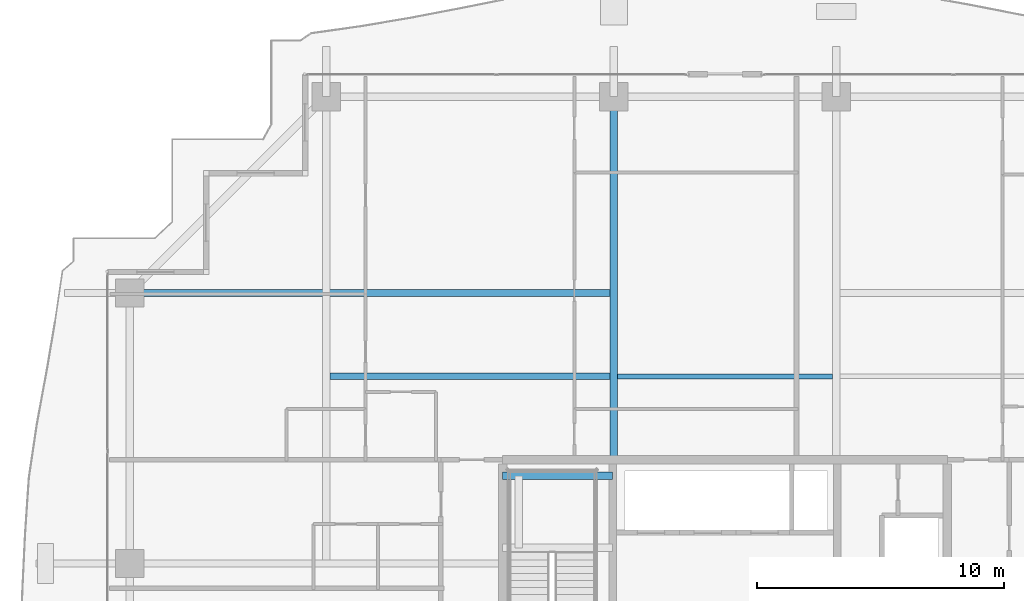
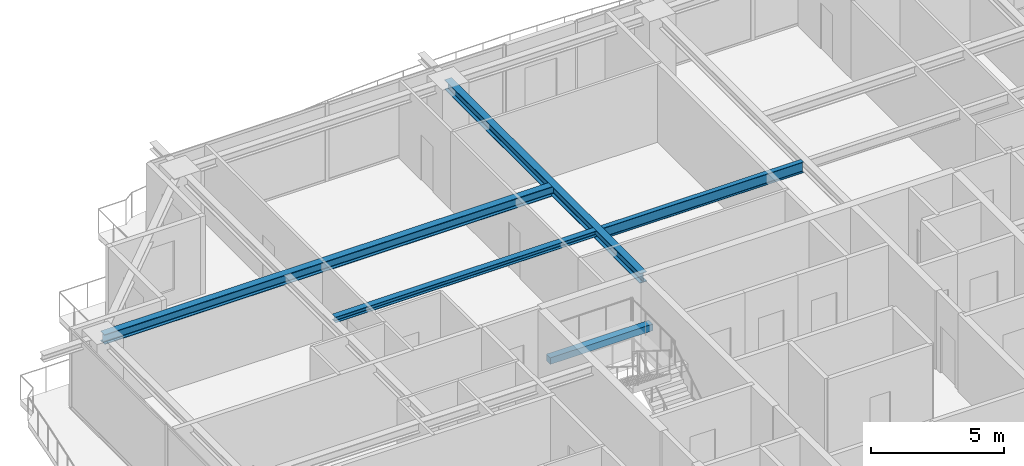
# One storey, part 20 of 38: 5 beams.
"""IFC4 building model written with IfcOpenShell, lengths in metres."""

from ifc_helpers import new_model, si_unit, direction, frame, origin, origin_2d, place, context, subcontext, project, spatial, rectangle, i_section, extrude, source, transform, mapped, material, material_profile, profile_set, type_object, element, save


model = new_model("IFC4")

# Units and contexts
model_context = context("Model", 3, precision=1e-05, world=origin(), true_north=direction((0.0, 1.0)))
body_context = subcontext(model_context, "Body", "Model", "MODEL_VIEW")
ifc_project = project(units=[si_unit("LENGTHUNIT", "METRE"), si_unit("AREAUNIT", "SQUARE_METRE"), si_unit("VOLUMEUNIT", "CUBIC_METRE"), si_unit("PLANEANGLEUNIT", "RADIAN"), si_unit("MASSUNIT", "GRAM", prefix="KILO")], contexts=[model_context])

# Site, building, storey
site_placement = place(None, origin())
site = spatial("IfcSite", under=ifc_project, at=site_placement, CompositionType="ELEMENT")
building_placement = place(site_placement, origin())
building = spatial("IfcBuilding", under=site, at=building_placement, Name="Serunith Strait Residences", CompositionType="ELEMENT")
storey_placement = place(building_placement, frame((0.0, 0.0, 237.39990234375)))
storey = spatial("IfcBuildingStorey", under=building, at=storey_placement, Name="L59", CompositionType="ELEMENT", Elevation=237.39990234375)

# Beams
ifc_material_1 = material(Name="Steel S355J2", Category="steel")
ifc_material_profile_1 = material_profile(ifc_material_1, i_section(OverallWidth=0.199951171875, OverallDepth=0.5, WebThickness=0.01025390625, FlangeThickness=0.01611328125, FilletRadius=0.02099609375, at=origin_2d()), Name="IPE 500")
ifc_profile_set_1 = profile_set([ifc_material_profile_1], Name="Steel S355J2")
beam_type_1 = type_object("IfcBeamType", Name="BM-IPE500", PredefinedType="JOIST", material=ifc_profile_set_1)
shared_shape_1 = source(origin(), body_context, "Body", "SweptSolid", [
    extrude(i_section(OverallWidth=0.199951171875, OverallDepth=0.5, WebThickness=0.01025390625, FlangeThickness=0.01611328125, FilletRadius=0.02099609375, at=origin_2d()), origin(), (0.0, 0.0, 1.0), 8.699951171875),
])
beam_1_placement = place(storey_placement, frame((28.050048828125, 36.97509765625, 3.337158203125), z_axis=(1.0, 0.0, 0.0), x_axis=(0.0, 1.0, 0.0)))
element("IfcBeam", 1, at=beam_1_placement, inside=storey, type_object=beam_type_1, Name="L59 Composite Floor Joist 05", PredefinedType="JOIST", context=body_context, shape_type="MappedRepresentation", body=[
    mapped(shared_shape_1, transform((0.0, 0.0, 0.0), scale=1.0)),
])
ifc_material_profile_2 = material_profile(ifc_material_1, i_section(OverallWidth=0.300048828125, OverallDepth=0.449951171875, WebThickness=0.013916015625, FlangeThickness=0.02587890625, FilletRadius=0.027099609375, at=origin_2d()), Name="HEB 450")
ifc_profile_set_2 = profile_set([ifc_material_profile_2], Name="Steel S355J2")
beam_type_2 = type_object("IfcBeamType", Name="BM-HEB450", PredefinedType="BEAM", material=ifc_profile_set_2)
shared_shape_2 = source(origin(), body_context, "Body", "SweptSolid", [
    extrude(i_section(OverallWidth=0.300048828125, OverallDepth=0.449951171875, WebThickness=0.013916015625, FlangeThickness=0.02587890625, FilletRadius=0.027099609375, at=origin_2d()), origin(), (0.0, 0.0, 1.0), 14.699951171875),
])
beam_2_placement = place(storey_placement, frame((27.89990234375, 33.60009765625, 3.362060546875), z_axis=(0.0, 1.0, 0.0), x_axis=(-1.0, 0.0, 0.0)))
element("IfcBeam", 2, at=beam_2_placement, inside=storey, type_object=beam_type_2, Name="L59 Primary Floor Girder TC-N2", PredefinedType="BEAM", context=body_context, shape_type="MappedRepresentation", body=[
    mapped(shared_shape_2, transform((0.0, 0.0, 0.0), scale=1.0)),
])
shared_shape_3 = source(origin(), body_context, "Body", "SweptSolid", [
    extrude(i_section(OverallWidth=0.300048828125, OverallDepth=0.449951171875, WebThickness=0.013916015625, FlangeThickness=0.02587890625, FilletRadius=0.027099609375, at=origin_2d()), origin(), (0.0, 0.0, 1.0), 19.599853515625),
])
beam_3_placement = place(storey_placement, frame((27.89990234375, 40.35009765625, 3.362060546875), z_axis=(-1.0, 0.0, 0.0), x_axis=(0.0, -1.0, 0.0)))
element("IfcBeam", 3, at=beam_3_placement, inside=storey, type_object=beam_type_2, Name="L59 Orthogonal Corner Girder TC-W4", PredefinedType="BEAM", context=body_context, shape_type="MappedRepresentation", body=[
    mapped(shared_shape_3, transform((0.0, 0.0, 0.0), scale=1.0)),
])
ifc_material_profile_3 = material_profile(ifc_material_1, i_section(OverallWidth=0.260009765625, OverallDepth=0.260009765625, WebThickness=0.010009765625, FlangeThickness=0.017578125, FilletRadius=0.02392578125, at=origin_2d()), Name="HEB 260")
ifc_profile_set_3 = profile_set([ifc_material_profile_3], Name="Steel S355J2")
beam_type_3 = type_object("IfcBeamType", Name="BM-HEB260", PredefinedType="JOIST", material=ifc_profile_set_3)
shared_shape_4 = source(origin(), body_context, "Body", "SweptSolid", [
    extrude(i_section(OverallWidth=0.260009765625, OverallDepth=0.260009765625, WebThickness=0.010009765625, FlangeThickness=0.017578125, FilletRadius=0.02392578125, at=origin_2d()), origin(), (0.0, 0.0, 1.0), 11.35009765625),
])
beam_4_placement = place(storey_placement, frame((16.39990234375, 36.97509765625, 3.45703125), z_axis=(1.0, 0.0, 0.0), x_axis=(0.0, 1.0, 0.0)))
element("IfcBeam", 4, at=beam_4_placement, inside=storey, type_object=beam_type_3, Name="L59 Composite Floor Joist 04", PredefinedType="JOIST", context=body_context, shape_type="MappedRepresentation", body=[
    mapped(shared_shape_4, transform((0.0, 0.0, 0.0), scale=1.0)),
])
ifc_material_2 = material(Name="Concrete C60/75", Category="concrete")
ifc_material_profile_4 = material_profile(ifc_material_2, rectangle(XDim=0.300048828125, YDim=0.300048828125, at=origin_2d()), Name="RC 300x300")
ifc_profile_set_4 = profile_set([ifc_material_profile_4], Name="Concrete C60/75")
beam_type_4 = type_object("IfcBeamType", Name="BM-LAND-300x300", PredefinedType="BEAM", material=ifc_profile_set_4)
shared_shape_5 = source(origin(), body_context, "Body", "SweptSolid", [
    extrude(rectangle(XDim=0.300048828125, YDim=0.300048828125, at=origin_2d()), origin(), (0.0, 0.0, 1.0), 4.4501953125),
])
beam_5_placement = place(storey_placement, frame((23.39990234375, 32.949951171875, 1.5751953125), z_axis=(1.0, 0.0, 0.0), x_axis=(0.0, 1.0, 0.0)))
element("IfcBeam", 5, at=beam_5_placement, inside=storey, type_object=beam_type_4, Name="L59 ST-1 Landing Support Beam 2", PredefinedType="BEAM", context=body_context, shape_type="MappedRepresentation", body=[
    mapped(shared_shape_5, transform((0.0, 0.0, 0.0), scale=1.0)),
])

save(model, "model.ifc")
